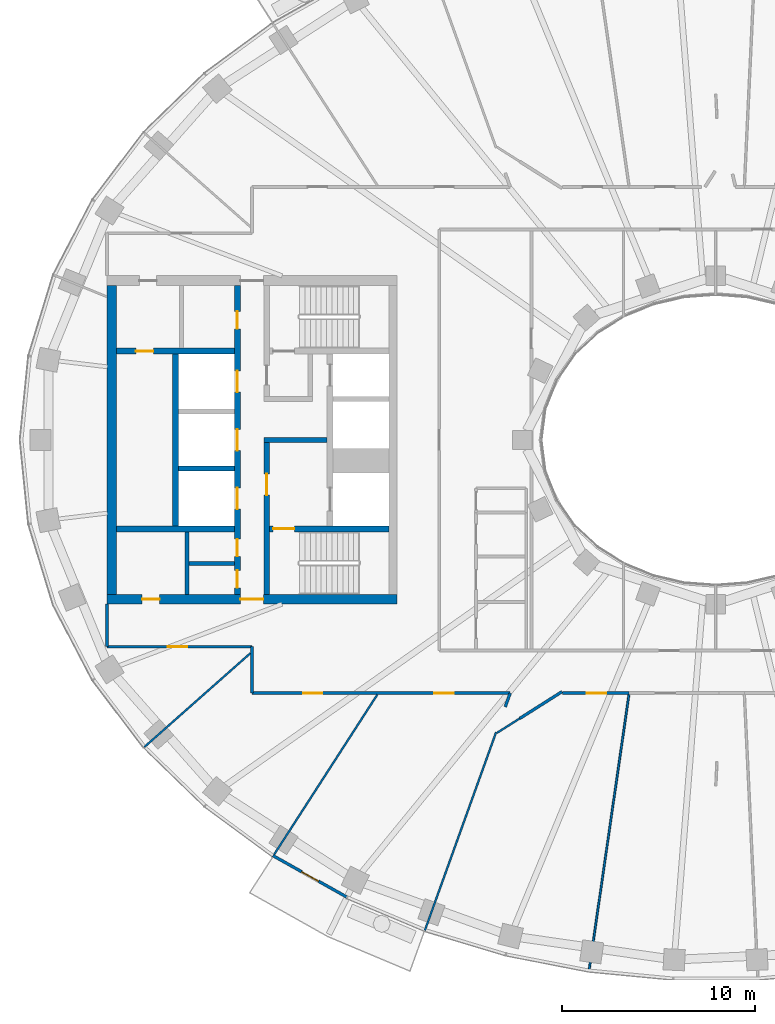
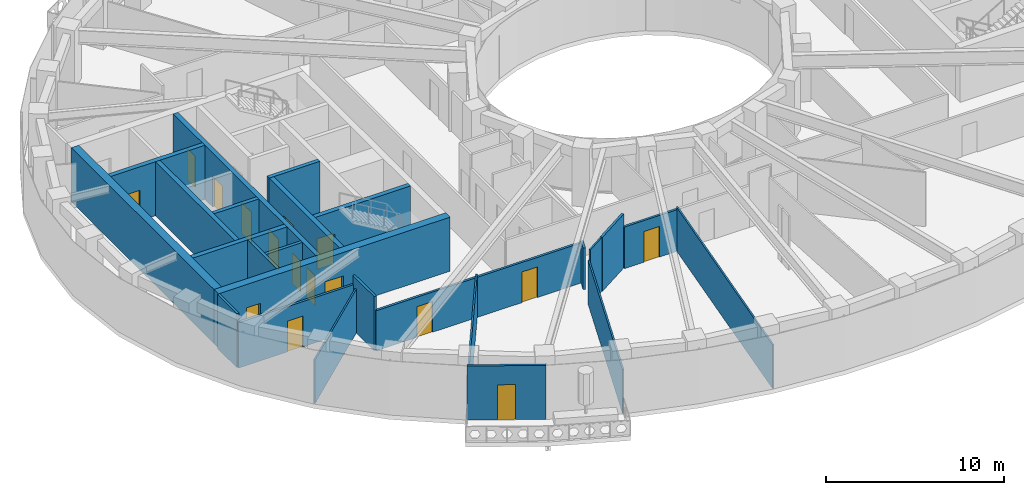
# One storey, part 3 of 15: 25 walls, 16 doors, 16 openings.
"""IFC4 building model written with IfcOpenShell, lengths in metres."""

from ifc_helpers import new_model, si_unit, direction, frame, frame_2d, origin, place, context, subcontext, project, spatial, rectangle, extrude, material, layer, layer_set, type_object, element, fill, save


model = new_model("IFC4")

# Units and contexts
model_context = context("Model", 3, precision=1e-05, world=origin(), true_north=direction((0.0, 1.0)))
body_context = subcontext(model_context, "Body", "Model", "MODEL_VIEW")
ifc_project = project(units=[si_unit("LENGTHUNIT", "METRE"), si_unit("AREAUNIT", "SQUARE_METRE"), si_unit("VOLUMEUNIT", "CUBIC_METRE"), si_unit("PLANEANGLEUNIT", "RADIAN"), si_unit("MASSUNIT", "GRAM", prefix="KILO")], contexts=[model_context])

# Site, building, storey
site_placement = place(None, origin())
site = spatial("IfcSite", under=ifc_project, at=site_placement, CompositionType="ELEMENT")
building_placement = place(site_placement, origin())
building = spatial("IfcBuilding", under=site, at=building_placement, Name="Noorbagh Ring Tower", CompositionType="ELEMENT")
storey_placement = place(building_placement, frame((0.0, 0.0, 241.5)))
storey = spatial("IfcBuildingStorey", under=building, at=storey_placement, Name="L50", CompositionType="ELEMENT", Elevation=241.5)

# Walls
ifc_material_1 = material(Name="Gypsum board on steel studs", Category="steel")
ifc_layer_1 = layer(ifc_material_1, 0.199951171875)
ifc_layer_set_1 = layer_set([ifc_layer_1], Name="Gypsum board on steel studs")
wall_type_1 = type_object("IfcWallType", Name="CORE-PARTITION-200", PredefinedType="PARTITIONING", material=ifc_layer_set_1)
wall_1_placement = place(storey_placement, frame((-27.35009765625, -8.0, 0.0), z_axis=(0.0, 0.0, 1.0), x_axis=(0.0, 1.0, 0.0)))
element("IfcWall", 1, at=wall_1_placement, inside=storey, type_object=wall_type_1, Name="Core partition W", PredefinedType="PARTITIONING", context=body_context, shape_type="SweptSolid", body=[
    extrude(rectangle(XDim=3.25, YDim=0.199951171875, at=frame_2d((1.625, 0.0))), origin(), (0.0, 0.0, 1.0), 3.699951171875),
])
wall_2_placement = place(storey_placement, frame((-24.89990234375, -6.39990234375, 0.0), z_axis=(0.0, 0.0, 1.0), x_axis=(-1.0, 0.0, 0.0)))
element("IfcWall", 2, at=wall_2_placement, inside=storey, type_object=wall_type_1, Name="Core partition W", PredefinedType="PARTITIONING", context=body_context, shape_type="SweptSolid", body=[
    extrude(rectangle(XDim=2.35009765625, YDim=0.199951171875, at=frame_2d((1.175048828125, 0.0))), origin(), (0.0, 0.0, 1.0), 3.699951171875),
])
ifc_material_2 = material(Name="Concrete C60/75", Category="concrete")
ifc_layer_2 = layer(ifc_material_2, 0.25)
ifc_layer_set_2 = layer_set([ifc_layer_2], Name="Concrete C60/75")
wall_type_2 = type_object("IfcWallType", Name="CORE-WALL-250-C60-75-EI120", PredefinedType="SHEAR", material=ifc_layer_set_2)
wall_3_placement = place(storey_placement, frame((-24.89990234375, -1.47509765625, 0.0), z_axis=(0.0, 0.0, 1.0), x_axis=(-1.0, 0.0, 0.0)))
element("IfcWall", 3, at=wall_3_placement, inside=storey, type_object=wall_type_2, Name="Core wall W", PredefinedType="SHEAR", context=body_context, shape_type="SweptSolid", body=[
    extrude(rectangle(XDim=2.900146484375, YDim=0.25, at=frame_2d((1.4501953125, 0.0))), origin(), (0.0, 0.0, 1.0), 3.699951171875),
])
ifc_material_3 = material(Name="Concrete C60/75", Category="concrete")
ifc_layer_3 = layer(ifc_material_3, 0.25)
ifc_layer_set_3 = layer_set([ifc_layer_3], Name="Concrete C60/75")
wall_type_3 = type_object("IfcWallType", Name="CORE-WALL-250-C60-75-EI240", PredefinedType="SHEAR", material=ifc_layer_set_3)
wall_4_placement = place(storey_placement, frame((-20.10009765625, 0.0, 0.0), z_axis=(0.0, 0.0, 1.0), x_axis=(-1.0, 0.0, 0.0)))
element("IfcWall", 4, at=wall_4_placement, inside=storey, type_object=wall_type_3, Name="Core wall W", PredefinedType="SHEAR", context=body_context, shape_type="SweptSolid", body=[
    extrude(rectangle(XDim=3.27978515625, YDim=0.25, at=frame_2d((1.639892578125, 0.0))), origin(), (0.0, 0.0, 1.0), 3.699951171875),
])
ifc_material_4 = material(Name="Concrete C60/75", Category="concrete")
ifc_layer_4 = layer(ifc_material_4, 0.300048828125)
ifc_layer_set_4 = layer_set([ifc_layer_4], Name="Concrete C60/75")
wall_type_4 = type_object("IfcWallType", Name="CORE-WALL-300-C60-75-EI120", PredefinedType="SHEAR", material=ifc_layer_set_4)
wall_5_placement = place(storey_placement, frame((-27.949951171875, -4.449951171875, 0.0), z_axis=(0.0, 0.0, 1.0), x_axis=(0.0, 1.0, 0.0)))
element("IfcWall", 5, at=wall_5_placement, inside=storey, type_object=wall_type_4, Name="Core wall W", PredefinedType="SHEAR", context=body_context, shape_type="SweptSolid", body=[
    extrude(rectangle(XDim=8.89990234375, YDim=0.300048828125, at=frame_2d((4.449951171875, 0.0))), origin(), (0.0, 0.0, 1.0), 3.699951171875),
])

# Wall, openings, doors
wall_6_placement = place(storey_placement, frame((-24.75, -8.0, 0.0), z_axis=(0.0, 0.0, 1.0), x_axis=(0.0, 1.0, 0.0)))
wall_6 = element("IfcWall", 6, at=wall_6_placement, inside=storey, type_object=wall_type_4, Name="Core wall W", PredefinedType="SHEAR", context=body_context, shape_type="SweptSolid", body=[
    extrude(rectangle(XDim=16.0, YDim=0.300048828125, at=frame_2d((8.0, 0.0))), origin(), (0.0, 0.0, 1.0), 3.699951171875),
])
opening_1_placement = place(wall_6_placement, frame((4.425048828125, 0.0, 0.0)))
opening_1 = element("IfcOpeningElement", 7, at=opening_1_placement, cuts=wall_6, Name="Opening L50-CW03", PredefinedType="OPENING", context=body_context, shape_type="SweptSolid", body=[
    extrude(rectangle(XDim=1.10009765625, YDim=2.10009765625, at=frame_2d((0.550048828125, 1.050048828125))), frame((0.0, 0.16015625, 0.0), z_axis=(0.0, -1.0, 0.0), x_axis=(1.0, 0.0, 0.0)), (0.0, 0.0, 1.0), 0.320068359375),
])
opening_2_placement = place(wall_6_placement, frame((7.449951171875, 0.0, 0.0)))
opening_2 = element("IfcOpeningElement", 8, at=opening_2_placement, cuts=wall_6, Name="Opening L50-CW04", PredefinedType="OPENING", context=body_context, shape_type="SweptSolid", body=[
    extrude(rectangle(XDim=1.10009765625, YDim=2.10009765625, at=frame_2d((0.550048828125, 1.050048828125))), frame((0.0, 0.16015625, 0.0), z_axis=(0.0, -1.0, 0.0), x_axis=(1.0, 0.0, 0.0)), (0.0, 0.0, 1.0), 0.320068359375),
])
opening_3_placement = place(wall_6_placement, frame((10.47509765625, 0.0, 0.0)))
opening_3 = element("IfcOpeningElement", 9, at=opening_3_placement, cuts=wall_6, Name="Opening L50-CW05", PredefinedType="OPENING", context=body_context, shape_type="SweptSolid", body=[
    extrude(rectangle(XDim=1.10009765625, YDim=2.10009765625, at=frame_2d((0.550048828125, 1.050048828125))), frame((0.0, 0.16015625, 0.0), z_axis=(0.0, -1.0, 0.0), x_axis=(1.0, 0.0, 0.0)), (0.0, 0.0, 1.0), 0.320068359375),
])
opening_4_placement = place(wall_6_placement, frame((13.75, 0.0, 0.0)))
opening_4 = element("IfcOpeningElement", 10, at=opening_4_placement, cuts=wall_6, Name="Opening L50-CW12", PredefinedType="OPENING", context=body_context, shape_type="SweptSolid", body=[
    extrude(rectangle(XDim=0.89990234375, YDim=2.10009765625, at=frame_2d((0.449951171875, 1.050048828125))), frame((0.0, 0.16015625, 0.0), z_axis=(0.0, -1.0, 0.0), x_axis=(1.0, 0.0, 0.0)), (0.0, 0.0, 1.0), 0.320068359375),
])
opening_5_placement = place(wall_6_placement, frame((1.97509765625, 0.0, 0.0)))
opening_5 = element("IfcOpeningElement", 11, at=opening_5_placement, cuts=wall_6, Name="Opening L50-CW14", PredefinedType="OPENING", context=body_context, shape_type="SweptSolid", body=[
    extrude(rectangle(XDim=0.89990234375, YDim=2.10009765625, at=frame_2d((0.449951171875, 1.050048828125))), frame((0.0, 0.16015625, 0.0), z_axis=(0.0, -1.0, 0.0), x_axis=(1.0, 0.0, 0.0)), (0.0, 0.0, 1.0), 0.320068359375),
])
opening_6_placement = place(wall_6_placement, frame((0.35009765625, 0.0, 0.0)))
opening_6 = element("IfcOpeningElement", 12, at=opening_6_placement, cuts=wall_6, Name="Opening L50-CW15", PredefinedType="OPENING", context=body_context, shape_type="SweptSolid", body=[
    extrude(rectangle(XDim=0.89990234375, YDim=2.10009765625, at=frame_2d((0.449951171875, 1.050048828125))), frame((0.0, 0.16015625, 0.0), z_axis=(0.0, -1.0, 0.0), x_axis=(1.0, 0.0, 0.0)), (0.0, 0.0, 1.0), 0.320068359375),
])
ifc_material_5 = material(Name="Steel door leaf", Category="steel")
door_type_1 = type_object("IfcDoorType", Name="CORE-DOOR-DROOM", OperationType="SINGLE_SWING_LEFT", PredefinedType="DOOR", material=ifc_material_5)
door_1_placement = place(opening_4_placement, origin())
door_1 = element("IfcDoor", 13, at=door_1_placement, inside=storey, type_object=door_type_1, Name="Core room door L50-CW12", OperationType="SINGLE_SWING_RIGHT", OverallHeight=2.10009765625, OverallWidth=0.89990234375, PredefinedType="DOOR", context=body_context, shape_type="SweptSolid", body=[
    extrude(rectangle(XDim=0.89990234375, YDim=2.10009765625, at=frame_2d((0.449951171875, 1.050048828125))), frame((0.0, 0.02490234375, 0.0), z_axis=(0.0, -1.0, 0.0), x_axis=(1.0, 0.0, 0.0)), (0.0, 0.0, 1.0), 0.050048828125),
])
fill(opening_4, door_1)
door_2_placement = place(opening_5_placement, origin())
door_2 = element("IfcDoor", 14, at=door_2_placement, inside=storey, type_object=door_type_1, Name="Core room door L50-CW14", OperationType="SINGLE_SWING_RIGHT", OverallHeight=2.10009765625, OverallWidth=0.89990234375, PredefinedType="DOOR", context=body_context, shape_type="SweptSolid", body=[
    extrude(rectangle(XDim=0.89990234375, YDim=2.10009765625, at=frame_2d((0.449951171875, 1.050048828125))), frame((0.0, 0.02490234375, 0.0), z_axis=(0.0, -1.0, 0.0), x_axis=(1.0, 0.0, 0.0)), (0.0, 0.0, 1.0), 0.050048828125),
])
fill(opening_5, door_2)
door_3_placement = place(opening_6_placement, origin())
door_3 = element("IfcDoor", 15, at=door_3_placement, inside=storey, type_object=door_type_1, Name="Core room door L50-CW15", OperationType="SINGLE_SWING_LEFT", OverallHeight=2.10009765625, OverallWidth=0.89990234375, PredefinedType="DOOR", context=body_context, shape_type="SweptSolid", body=[
    extrude(rectangle(XDim=0.89990234375, YDim=2.10009765625, at=frame_2d((0.449951171875, 1.050048828125))), frame((0.0, 0.02490234375, 0.0), z_axis=(0.0, -1.0, 0.0), x_axis=(1.0, 0.0, 0.0)), (0.0, 0.0, 1.0), 0.050048828125),
])
fill(opening_6, door_3)
ifc_material_6 = material(Name="Steel door leaf", Category="steel")
door_type_2 = type_object("IfcDoorType", Name="CORE-DOOR-LD", OperationType="DOUBLE_DOOR_SLIDING", PredefinedType="DOOR", material=ifc_material_6)
door_4_placement = place(opening_1_placement, origin())
door_4 = element("IfcDoor", 16, at=door_4_placement, inside=storey, type_object=door_type_2, Name="Landing door HR2 L50-CW03", OperationType="DOUBLE_DOOR_SLIDING", OverallHeight=2.10009765625, OverallWidth=1.10009765625, PredefinedType="DOOR", context=body_context, shape_type="SweptSolid", body=[
    extrude(rectangle(XDim=1.10009765625, YDim=2.10009765625, at=frame_2d((0.550048828125, 1.050048828125))), frame((0.0, 0.02490234375, 0.0), z_axis=(0.0, -1.0, 0.0), x_axis=(1.0, 0.0, 0.0)), (0.0, 0.0, 1.0), 0.050048828125),
])
fill(opening_1, door_4)
door_5_placement = place(opening_2_placement, origin())
door_5 = element("IfcDoor", 17, at=door_5_placement, inside=storey, type_object=door_type_2, Name="Landing door HR3 L50-CW04", OperationType="DOUBLE_DOOR_SLIDING", OverallHeight=2.10009765625, OverallWidth=1.10009765625, PredefinedType="DOOR", context=body_context, shape_type="SweptSolid", body=[
    extrude(rectangle(XDim=1.10009765625, YDim=2.10009765625, at=frame_2d((0.550048828125, 1.050048828125))), frame((0.0, 0.02490234375, 0.0), z_axis=(0.0, -1.0, 0.0), x_axis=(1.0, 0.0, 0.0)), (0.0, 0.0, 1.0), 0.050048828125),
])
fill(opening_2, door_5)
door_6_placement = place(opening_3_placement, origin())
door_6 = element("IfcDoor", 18, at=door_6_placement, inside=storey, type_object=door_type_2, Name="Landing door HR4 L50-CW05", OperationType="DOUBLE_DOOR_SLIDING", OverallHeight=2.10009765625, OverallWidth=1.10009765625, PredefinedType="DOOR", context=body_context, shape_type="SweptSolid", body=[
    extrude(rectangle(XDim=1.10009765625, YDim=2.10009765625, at=frame_2d((0.550048828125, 1.050048828125))), frame((0.0, 0.02490234375, 0.0), z_axis=(0.0, -1.0, 0.0), x_axis=(1.0, 0.0, 0.0)), (0.0, 0.0, 1.0), 0.050048828125),
])
fill(opening_3, door_6)

# Wall, opening, door
ifc_material_7 = material(Name="Concrete C60/75", Category="concrete")
ifc_layer_5 = layer(ifc_material_7, 0.300048828125)
ifc_layer_set_5 = layer_set([ifc_layer_5], Name="Concrete C60/75")
wall_type_5 = type_object("IfcWallType", Name="CORE-WALL-300-C60-75-EI240", PredefinedType="SHEAR", material=ifc_layer_set_5)
wall_7_placement = place(storey_placement, frame((-24.89990234375, 4.60009765625, 0.0), z_axis=(0.0, 0.0, 1.0), x_axis=(-1.0, 0.0, 0.0)))
wall_7 = element("IfcWall", 19, at=wall_7_placement, inside=storey, type_object=wall_type_5, Name="Core wall W", PredefinedType="SHEAR", context=body_context, shape_type="SweptSolid", body=[
    extrude(rectangle(XDim=6.10009765625, YDim=0.300048828125, at=frame_2d((3.050048828125, 0.0))), origin(), (0.0, 0.0, 1.0), 3.699951171875),
])
opening_7_placement = place(wall_7_placement, frame((4.199951171875, 0.0, 0.0)))
opening_7 = element("IfcOpeningElement", 20, at=opening_7_placement, cuts=wall_7, Name="Opening L50-CW17", PredefinedType="OPENING", context=body_context, shape_type="SweptSolid", body=[
    extrude(rectangle(XDim=0.89990234375, YDim=2.10009765625, at=frame_2d((0.449951171875, 1.050048828125))), frame((0.0, 0.16015625, 0.0), z_axis=(0.0, -1.0, 0.0), x_axis=(1.0, 0.0, 0.0)), (0.0, 0.0, 1.0), 0.320068359375),
])
door_7_placement = place(opening_7_placement, origin())
door_7 = element("IfcDoor", 21, at=door_7_placement, inside=storey, type_object=door_type_1, Name="Core room door L50-CW17", OperationType="SINGLE_SWING_LEFT", OverallHeight=2.10009765625, OverallWidth=0.89990234375, PredefinedType="DOOR", context=body_context, shape_type="SweptSolid", body=[
    extrude(rectangle(XDim=0.89990234375, YDim=2.10009765625, at=frame_2d((0.449951171875, 1.050048828125))), frame((0.0, 0.02490234375, 0.0), z_axis=(0.0, -1.0, 0.0), x_axis=(1.0, 0.0, 0.0)), (0.0, 0.0, 1.0), 0.050048828125),
])
fill(opening_7, door_7)

# Wall
wall_8_placement = place(storey_placement, frame((-24.89990234375, -4.60009765625, 0.0), z_axis=(0.0, 0.0, 1.0), x_axis=(-1.0, 0.0, 0.0)))
element("IfcWall", 22, at=wall_8_placement, inside=storey, type_object=wall_type_5, Name="Core wall W", PredefinedType="SHEAR", context=body_context, shape_type="SweptSolid", body=[
    extrude(rectangle(XDim=6.10009765625, YDim=0.300048828125, at=frame_2d((3.050048828125, 0.0))), origin(), (0.0, 0.0, 1.0), 3.699951171875),
])

# Wall, opening, door
wall_9_placement = place(storey_placement, frame((-23.22998046875, -8.0, 0.0), z_axis=(0.0, 0.0, 1.0), x_axis=(0.0, 1.0, 0.0)))
wall_9 = element("IfcWall", 23, at=wall_9_placement, inside=storey, type_object=wall_type_5, Name="Core wall W", PredefinedType="SHEAR", context=body_context, shape_type="SweptSolid", body=[
    extrude(rectangle(XDim=7.875, YDim=0.300048828125, at=frame_2d((3.9375, 0.0))), origin(), (0.0, 0.0, 1.0), 3.699951171875),
])
opening_8_placement = place(wall_9_placement, frame((5.14990234375, 0.0, 0.0)))
opening_8 = element("IfcOpeningElement", 24, at=opening_8_placement, cuts=wall_9, Name="Opening L50-CW08", PredefinedType="OPENING", context=body_context, shape_type="SweptSolid", body=[
    extrude(rectangle(XDim=1.10009765625, YDim=2.10009765625, at=frame_2d((0.550048828125, 1.050048828125))), frame((0.0, 0.16015625, 0.0), z_axis=(0.0, -1.0, 0.0), x_axis=(1.0, 0.0, 0.0)), (0.0, 0.0, 1.0), 0.320068359375),
])
ifc_material_8 = material(Name="Steel door leaf", Category="steel")
door_type_3 = type_object("IfcDoorType", Name="CORE-DOOR-DFF", OperationType="SINGLE_SWING_LEFT", PredefinedType="DOOR", material=ifc_material_8)
door_8_placement = place(opening_8_placement, origin())
door_8 = element("IfcDoor", 25, at=door_8_placement, inside=storey, type_object=door_type_3, Name="Firefighting lobby door L50-CW08", OperationType="SINGLE_SWING_LEFT", OverallHeight=2.10009765625, OverallWidth=1.10009765625, PredefinedType="DOOR", context=body_context, shape_type="SweptSolid", body=[
    extrude(rectangle(XDim=1.10009765625, YDim=2.10009765625, at=frame_2d((0.550048828125, 1.050048828125))), frame((0.0, 0.02490234375, 0.0), z_axis=(0.0, -1.0, 0.0), x_axis=(1.0, 0.0, 0.0)), (0.0, 0.0, 1.0), 0.050048828125),
])
fill(opening_8, door_8)

wall_10_placement = place(storey_placement, frame((-16.89990234375, -4.60009765625, 0.0), z_axis=(0.0, 0.0, 1.0), x_axis=(-1.0, 0.0, 0.0)))
wall_10 = element("IfcWall", 26, at=wall_10_placement, inside=storey, type_object=wall_type_5, Name="Core wall W", PredefinedType="SHEAR", context=body_context, shape_type="SweptSolid", body=[
    extrude(rectangle(XDim=6.18017578125, YDim=0.300048828125, at=frame_2d((3.090087890625, 0.0))), origin(), (0.0, 0.0, 1.0), 3.699951171875),
])
opening_9_placement = place(wall_10_placement, frame((4.89990234375, 0.0, 0.0)))
opening_9 = element("IfcOpeningElement", 27, at=opening_9_placement, cuts=wall_10, Name="Opening L50-CW07", PredefinedType="OPENING", context=body_context, shape_type="SweptSolid", body=[
    extrude(rectangle(XDim=1.10009765625, YDim=2.10009765625, at=frame_2d((0.550048828125, 1.050048828125))), frame((0.0, 0.16015625, 0.0), z_axis=(0.0, -1.0, 0.0), x_axis=(1.0, 0.0, 0.0)), (0.0, 0.0, 1.0), 0.320068359375),
])
ifc_material_9 = material(Name="Steel door leaf", Category="steel")
door_type_4 = type_object("IfcDoorType", Name="CORE-DOOR-DSTAIR", OperationType="SINGLE_SWING_LEFT", PredefinedType="DOOR", material=ifc_material_9)
door_9_placement = place(opening_9_placement, origin())
door_9 = element("IfcDoor", 28, at=door_9_placement, inside=storey, type_object=door_type_4, Name="Stair door ST2 L50-CW07", OperationType="SINGLE_SWING_LEFT", OverallHeight=2.10009765625, OverallWidth=1.10009765625, PredefinedType="DOOR", context=body_context, shape_type="SweptSolid", body=[
    extrude(rectangle(XDim=1.10009765625, YDim=2.10009765625, at=frame_2d((0.550048828125, 1.050048828125))), frame((0.0, 0.02490234375, 0.0), z_axis=(0.0, -1.0, 0.0), x_axis=(1.0, 0.0, 0.0)), (0.0, 0.0, 1.0), 0.050048828125),
])
fill(opening_9, door_9)

# Wall, openings, doors
ifc_material_10 = material(Name="Concrete C60/75", Category="concrete")
ifc_layer_6 = layer(ifc_material_10, 0.5)
ifc_layer_set_6 = layer_set([ifc_layer_6], Name="Concrete C60/75")
wall_type_6 = type_object("IfcWallType", Name="CORE-WALL-500-C60-75-EI240", PredefinedType="SHEAR", material=ifc_layer_set_6)
wall_11_placement = place(storey_placement, frame((-16.5, -8.25, 0.0), z_axis=(0.0, 0.0, 1.0), x_axis=(-1.0, 0.0, 0.0)))
wall_11 = element("IfcWall", 29, at=wall_11_placement, inside=storey, type_object=wall_type_6, Name="Core wall W", PredefinedType="SHEAR", context=body_context, shape_type="SweptSolid", body=[
    extrude(rectangle(XDim=15.0, YDim=0.5, at=frame_2d((7.5, 0.0))), origin(), (0.0, 0.0, 1.0), 3.699951171875),
])
opening_10_placement = place(wall_11_placement, frame((6.89990234375, 0.0, 0.0)))
opening_10 = element("IfcOpeningElement", 30, at=opening_10_placement, cuts=wall_11, Name="Opening L50-CW11", PredefinedType="OPENING", context=body_context, shape_type="SweptSolid", body=[
    extrude(rectangle(XDim=1.199951171875, YDim=2.10009765625, at=frame_2d((0.60009765625, 1.050048828125))), frame((0.0, 0.260009765625, 0.0), z_axis=(0.0, -1.0, 0.0), x_axis=(1.0, 0.0, 0.0)), (0.0, 0.0, 1.0), 0.52001953125),
])
opening_11_placement = place(wall_11_placement, frame((12.27490234375, 0.0, 0.0)))
opening_11 = element("IfcOpeningElement", 31, at=opening_11_placement, cuts=wall_11, Name="Opening L50-CW16", PredefinedType="OPENING", context=body_context, shape_type="SweptSolid", body=[
    extrude(rectangle(XDim=0.89990234375, YDim=2.10009765625, at=frame_2d((0.449951171875, 1.050048828125))), frame((0.0, 0.260009765625, 0.0), z_axis=(0.0, -1.0, 0.0), x_axis=(1.0, 0.0, 0.0)), (0.0, 0.0, 1.0), 0.52001953125),
])
door_10_placement = place(opening_11_placement, origin())
door_10 = element("IfcDoor", 32, at=door_10_placement, inside=storey, type_object=door_type_1, Name="Core room door L50-CW16", OperationType="SINGLE_SWING_LEFT", OverallHeight=2.10009765625, OverallWidth=0.89990234375, PredefinedType="DOOR", context=body_context, shape_type="SweptSolid", body=[
    extrude(rectangle(XDim=0.89990234375, YDim=2.10009765625, at=frame_2d((0.449951171875, 1.050048828125))), frame((0.0, 0.02490234375, 0.0), z_axis=(0.0, -1.0, 0.0), x_axis=(1.0, 0.0, 0.0)), (0.0, 0.0, 1.0), 0.050048828125),
])
fill(opening_11, door_10)
ifc_material_11 = material(Name="Steel door leaf", Category="steel")
door_type_5 = type_object("IfcDoorType", Name="CORE-DOOR-PORT", OperationType="DOUBLE_DOOR_DOUBLE_SWING", PredefinedType="DOOR", material=ifc_material_11)
door_11_placement = place(opening_10_placement, origin())
door_11 = element("IfcDoor", 33, at=door_11_placement, inside=storey, type_object=door_type_5, Name="Core entrance door L50-CW11", OperationType="DOUBLE_DOOR_DOUBLE_SWING", OverallHeight=2.10009765625, OverallWidth=1.199951171875, PredefinedType="DOOR", context=body_context, shape_type="SweptSolid", body=[
    extrude(rectangle(XDim=1.199951171875, YDim=2.10009765625, at=frame_2d((0.60009765625, 1.050048828125))), frame((0.0, 0.02490234375, 0.0), z_axis=(0.0, -1.0, 0.0), x_axis=(1.0, 0.0, 0.0)), (0.0, 0.0, 1.0), 0.050048828125),
])
fill(opening_10, door_11)

# Walls
wall_12_placement = place(storey_placement, frame((-31.25, -8.0, 0.0), z_axis=(0.0, 0.0, 1.0), x_axis=(0.0, 1.0, 0.0)))
element("IfcWall", 34, at=wall_12_placement, inside=storey, type_object=wall_type_6, Name="Core wall W", PredefinedType="SHEAR", context=body_context, shape_type="SweptSolid", body=[
    extrude(rectangle(XDim=16.0, YDim=0.5, at=frame_2d((8.0, 0.0))), origin(), (0.0, 0.0, 1.0), 3.699951171875),
])
ifc_material_12 = material(Name="Gypsum board on steel studs", Category="steel")
ifc_layer_7 = layer(ifc_material_12, 0.14990234375)
ifc_layer_set_7 = layer_set([ifc_layer_7], Name="Gypsum board on steel studs")
wall_type_7 = type_object("IfcWallType", Name="CORRIDOR PARTITION 150 EI 30", PredefinedType="PARTITIONING", material=ifc_layer_set_7)
wall_13_placement = place(storey_placement, frame((-31.5, -10.699951171875, 0.0), z_axis=(0.0, 0.0, 1.0), x_axis=(0.0, 1.0, 0.0)))
element("IfcWall", 35, at=wall_13_placement, inside=storey, type_object=wall_type_7, Name="L50/wall/P02", PredefinedType="PARTITIONING", context=body_context, shape_type="SweptSolid", body=[
    extrude(rectangle(XDim=2.199951171875, YDim=0.14990234375, at=frame_2d((1.10009765625, 0.0))), origin(), (0.0, 0.0, 1.0), 3.699951171875),
])

# Wall, opening, door
wall_14_placement = place(storey_placement, frame((-31.5, -10.699951171875, 0.0), z_axis=(0.0, 0.0, 1.0), x_axis=(1.0, 0.0, 0.0)))
wall_14 = element("IfcWall", 36, at=wall_14_placement, inside=storey, type_object=wall_type_7, Name="L50/wall/P03", PredefinedType="PARTITIONING", context=body_context, shape_type="SweptSolid", body=[
    extrude(rectangle(XDim=7.5, YDim=0.14990234375, at=frame_2d((3.75, 0.0))), origin(), (0.0, 0.0, 1.0), 3.10009765625),
])
opening_12_placement = place(wall_14_placement, frame((3.14990234375, 0.0, 0.0)))
opening_12 = element("IfcOpeningElement", 37, at=opening_12_placement, cuts=wall_14, Name="Opening D1", PredefinedType="OPENING", context=body_context, shape_type="SweptSolid", body=[
    extrude(rectangle(XDim=1.0, YDim=2.10009765625, at=frame_2d((0.5, 1.050048828125))), frame((0.0, 0.0849609375, 0.0), z_axis=(0.0, -1.0, 0.0), x_axis=(1.0, 0.0, 0.0)), (0.0, 0.0, 1.0), 0.169921875),
])
ifc_material_13 = material(Name="Timber, painted", Category="wood")
door_type_6 = type_object("IfcDoorType", Name="DOOR 1000 X 2100 FD30", OperationType="SINGLE_SWING_LEFT", PredefinedType="DOOR", material=ifc_material_13)
door_12_placement = place(opening_12_placement, origin())
door_12 = element("IfcDoor", 38, at=door_12_placement, inside=storey, type_object=door_type_6, Name="L50-D06", OperationType="SINGLE_SWING_RIGHT", OverallHeight=2.10009765625, OverallWidth=1.0, PredefinedType="DOOR", context=body_context, shape_type="SweptSolid", body=[
    extrude(rectangle(XDim=1.0, YDim=2.10009765625, at=frame_2d((0.5, 1.050048828125))), frame((0.0, 0.02490234375, 0.0), z_axis=(0.0, -1.0, 0.0), x_axis=(1.0, 0.0, 0.0)), (0.0, 0.0, 1.0), 0.050048828125),
])
fill(opening_12, door_12)

# Wall
wall_15_placement = place(storey_placement, frame((-24.0, -13.10009765625, 0.0), z_axis=(0.0, 0.0, 1.0), x_axis=(0.0, 1.0, 0.0)))
element("IfcWall", 39, at=wall_15_placement, inside=storey, type_object=wall_type_7, Name="L50/wall/P08", PredefinedType="PARTITIONING", context=body_context, shape_type="SweptSolid", body=[
    extrude(rectangle(XDim=2.400146484375, YDim=0.14990234375, at=frame_2d((1.2001953125, 0.0))), origin(), (0.0, 0.0, 1.0), 3.699951171875),
])

# Wall, openings, doors
wall_16_placement = place(storey_placement, frame((-24.0, -13.10009765625, 0.0), z_axis=(0.0, 0.0, 1.0), x_axis=(1.0, 0.0, 0.0)))
wall_16 = element("IfcWall", 40, at=wall_16_placement, inside=storey, type_object=wall_type_7, Name="L50/wall/P09", PredefinedType="PARTITIONING", context=body_context, shape_type="SweptSolid", body=[
    extrude(rectangle(XDim=13.35693359375, YDim=0.14990234375, at=frame_2d((6.678466796875, 0.0))), origin(), (0.0, 0.0, 1.0), 2.75),
])
opening_13_placement = place(wall_16_placement, frame((2.64990234375, 0.0, 0.0)))
opening_13 = element("IfcOpeningElement", 41, at=opening_13_placement, cuts=wall_16, Name="Opening D1", PredefinedType="OPENING", context=body_context, shape_type="SweptSolid", body=[
    extrude(rectangle(XDim=1.0, YDim=2.10009765625, at=frame_2d((0.5, 1.050048828125))), frame((0.0, 0.0849609375, 0.0), z_axis=(0.0, -1.0, 0.0), x_axis=(1.0, 0.0, 0.0)), (0.0, 0.0, 1.0), 0.169921875),
])
opening_14_placement = place(wall_16_placement, frame((9.43603515625, 0.0, 0.0)))
opening_14 = element("IfcOpeningElement", 42, at=opening_14_placement, cuts=wall_16, Name="Opening D1", PredefinedType="OPENING", context=body_context, shape_type="SweptSolid", body=[
    extrude(rectangle(XDim=1.0, YDim=2.10009765625, at=frame_2d((0.5, 1.050048828125))), frame((0.0, 0.0849609375, 0.0), z_axis=(0.0, -1.0, 0.0), x_axis=(1.0, 0.0, 0.0)), (0.0, 0.0, 1.0), 0.169921875),
])
door_13_placement = place(opening_13_placement, origin())
door_13 = element("IfcDoor", 43, at=door_13_placement, inside=storey, type_object=door_type_6, Name="L50-D08", OperationType="SINGLE_SWING_RIGHT", OverallHeight=2.10009765625, OverallWidth=1.0, PredefinedType="DOOR", context=body_context, shape_type="SweptSolid", body=[
    extrude(rectangle(XDim=1.0, YDim=2.10009765625, at=frame_2d((0.5, 1.050048828125))), frame((0.0, 0.02490234375, 0.0), z_axis=(0.0, -1.0, 0.0), x_axis=(1.0, 0.0, 0.0)), (0.0, 0.0, 1.0), 0.050048828125),
])
fill(opening_13, door_13)
door_14_placement = place(opening_14_placement, origin())
door_14 = element("IfcDoor", 44, at=door_14_placement, inside=storey, type_object=door_type_6, Name="L50-D10", OperationType="SINGLE_SWING_RIGHT", OverallHeight=2.10009765625, OverallWidth=1.0, PredefinedType="DOOR", context=body_context, shape_type="SweptSolid", body=[
    extrude(rectangle(XDim=1.0, YDim=2.10009765625, at=frame_2d((0.5, 1.050048828125))), frame((0.0, 0.02490234375, 0.0), z_axis=(0.0, -1.0, 0.0), x_axis=(1.0, 0.0, 0.0)), (0.0, 0.0, 1.0), 0.050048828125),
])
fill(opening_14, door_14)

# Walls
wall_17_placement = place(storey_placement, frame((-10.887939453125, -13.81396484375, 0.0), z_axis=(0.0, 0.0, 1.0), x_axis=(0.337396703232, 0.941362557492, 0.0)))
element("IfcWall", 45, at=wall_17_placement, inside=storey, type_object=wall_type_7, Name="L50/wall/P27", PredefinedType="PARTITIONING", context=body_context, shape_type="SweptSolid", body=[
    extrude(rectangle(XDim=0.75830078125, YDim=0.14990234375, at=frame_2d((0.379150390625, 0.0))), origin(), (0.0, 0.0, 1.0), 2.85009765625),
])
wall_18_placement = place(storey_placement, frame((-10.136962890625, -14.4130859375, 0.0), z_axis=(0.0, 0.0, 1.0), x_axis=(0.844665601723, 0.535294331434, 0.0)))
element("IfcWall", 46, at=wall_18_placement, inside=storey, type_object=wall_type_7, Name="L50/wall/P29", PredefinedType="PARTITIONING", context=body_context, shape_type="SweptSolid", body=[
    extrude(rectangle(XDim=2.589111328125, YDim=0.14990234375, at=frame_2d((1.29443359375, 0.0))), origin(), (0.0, 0.0, 1.0), 3.699951171875),
])

# Wall, opening, door
wall_19_placement = place(storey_placement, frame((-7.925048828125, -13.10009765625, 0.0), z_axis=(0.0, 0.0, 1.0), x_axis=(1.0, 0.0, 0.0)))
wall_19 = element("IfcWall", 47, at=wall_19_placement, inside=storey, type_object=wall_type_7, Name="L50/wall/P34", PredefinedType="PARTITIONING", context=body_context, shape_type="SweptSolid", body=[
    extrude(rectangle(XDim=3.43212890625, YDim=0.14990234375, at=frame_2d((1.716064453125, 0.0))), origin(), (0.0, 0.0, 1.0), 2.85009765625),
])
opening_15_placement = place(wall_19_placement, frame((1.260009765625, 0.0, 0.0)))
opening_15 = element("IfcOpeningElement", 48, at=opening_15_placement, cuts=wall_19, Name="Opening D1", PredefinedType="OPENING", context=body_context, shape_type="SweptSolid", body=[
    extrude(rectangle(XDim=1.0, YDim=2.10009765625, at=frame_2d((0.5, 1.050048828125))), frame((0.0, 0.0849609375, 0.0), z_axis=(0.0, -1.0, 0.0), x_axis=(1.0, 0.0, 0.0)), (0.0, 0.0, 1.0), 0.169921875),
])
door_15_placement = place(opening_15_placement, origin())
door_15 = element("IfcDoor", 49, at=door_15_placement, inside=storey, type_object=door_type_6, Name="L50-D12", OperationType="SINGLE_SWING_RIGHT", OverallHeight=2.10009765625, OverallWidth=1.0, PredefinedType="DOOR", context=body_context, shape_type="SweptSolid", body=[
    extrude(rectangle(XDim=1.0, YDim=2.10009765625, at=frame_2d((0.5, 1.050048828125))), frame((0.0, 0.02490234375, 0.0), z_axis=(0.0, -1.0, 0.0), x_axis=(1.0, 0.0, 0.0)), (0.0, 0.0, 1.0), 0.050048828125),
])
fill(opening_15, door_15)

ifc_material_14 = material(Name="Insulated aluminium clad panel", Category="aluminium")
ifc_layer_8 = layer(ifc_material_14, 0.14990234375)
ifc_layer_set_8 = layer_set([ifc_layer_8], Name="Insulated aluminium clad panel")
wall_type_8 = type_object("IfcWallType", Name="ENV-WALL-DOOR", PredefinedType="STANDARD", material=ifc_layer_set_8)
wall_20_placement = place(storey_placement, frame((-22.913330078125, -21.508544921875, 0.0), z_axis=(0.0, 0.0, 1.0), x_axis=(0.872046572975, -0.489422899509, 0.0)))
wall_20 = element("IfcWall", 50, at=wall_20_placement, inside=storey, type_object=wall_type_8, Name="Balcony door wall chord 30", PredefinedType="STANDARD", context=body_context, shape_type="SweptSolid", body=[
    extrude(rectangle(XDim=4.425537109375, YDim=0.14990234375, at=frame_2d((2.212890625, 0.0))), origin(), (0.0, 0.0, 1.0), 3.699951171875),
])
opening_16_placement = place(wall_20_placement, frame((1.712646484375, 0.0, 0.0)))
opening_16 = element("IfcOpeningElement", 51, at=opening_16_placement, cuts=wall_20, Name="Opening D-BL", PredefinedType="OPENING", context=body_context, shape_type="SweptSolid", body=[
    extrude(rectangle(XDim=1.0, YDim=2.39990234375, at=frame_2d((0.5, 1.199951171875))), frame((0.0, 0.0849609375, 0.0), z_axis=(0.0, -1.0, 0.0), x_axis=(1.0, 0.0, 0.0)), (0.0, 0.0, 1.0), 0.169921875),
])
ifc_material_15 = material(Name="Aluminium and glass", Category="aluminium")
door_type_7 = type_object("IfcDoorType", Name="ENV-DOOR-BALCONY", OperationType="SINGLE_SWING_LEFT", PredefinedType="DOOR", material=ifc_material_15)
door_16_placement = place(opening_16_placement, origin())
door_16 = element("IfcDoor", 52, at=door_16_placement, inside=storey, type_object=door_type_7, Name="Balcony door chord 30", OperationType="SINGLE_SWING_LEFT", OverallHeight=2.39990234375, OverallWidth=1.0, PredefinedType="DOOR", context=body_context, shape_type="SweptSolid", body=[
    extrude(rectangle(XDim=1.0, YDim=2.39990234375, at=frame_2d((0.5, 1.199951171875))), frame((0.0, 0.02490234375, 0.0), z_axis=(0.0, -1.0, 0.0), x_axis=(1.0, 0.0, 0.0)), (0.0, 0.0, 1.0), 0.050048828125),
])
fill(opening_16, door_16)

# Walls
ifc_material_16 = material(Name="Gypsum board on steel studs", Category="steel")
ifc_layer_9 = layer(ifc_material_16, 0.10009765625)
ifc_layer_set_9 = layer_set([ifc_layer_9], Name="Gypsum board on steel studs")
wall_type_9 = type_object("IfcWallType", Name="PARTITION 100 GYPSUM", PredefinedType="PARTITIONING", material=ifc_layer_set_9)
wall_21_placement = place(storey_placement, frame((-29.569091796875, -15.89501953125, 0.0), z_axis=(0.0, 0.0, 1.0), x_axis=(0.748936848479, 0.662641378869, 0.0)))
element("IfcWall", 53, at=wall_21_placement, inside=storey, type_object=wall_type_9, Name="L50/wall/P06", PredefinedType="PARTITIONING", context=body_context, shape_type="SweptSolid", body=[
    extrude(rectangle(XDim=7.3359375, YDim=0.10009765625, at=frame_2d((3.66796875, 0.0))), origin(), (0.0, 0.0, 1.0), 3.0),
])
wall_22_placement = place(storey_placement, frame((-22.905029296875, -21.5419921875, 0.0), z_axis=(0.0, 0.0, 1.0), x_axis=(0.542277075573, 0.840199722273, 0.0)))
element("IfcWall", 54, at=wall_22_placement, inside=storey, type_object=wall_type_9, Name="L50/wall/P12", PredefinedType="PARTITIONING", context=body_context, shape_type="SweptSolid", body=[
    extrude(rectangle(XDim=9.958251953125, YDim=0.10009765625, at=frame_2d((4.97900390625, 0.0))), origin(), (0.0, 0.0, 1.0), 3.0),
])
wall_23_placement = place(storey_placement, frame((-15.048095703125, -25.383056640625, 0.0), z_axis=(0.0, 0.0, 1.0), x_axis=(0.338406105684, 0.941000163462, 0.0)))
element("IfcWall", 55, at=wall_23_placement, inside=storey, type_object=wall_type_9, Name="L50/wall/P14", PredefinedType="PARTITIONING", context=body_context, shape_type="SweptSolid", body=[
    extrude(rectangle(XDim=10.898193359375, YDim=0.10009765625, at=frame_2d((5.44921875, 0.0))), origin(), (0.0, 0.0, 1.0), 3.0),
])
wall_24_placement = place(storey_placement, frame((-11.319091796875, -15.160888671875, 0.0), z_axis=(0.0, 0.0, 1.0), x_axis=(0.845102975348, 0.534603555037, 0.0)))
element("IfcWall", 56, at=wall_24_placement, inside=storey, type_object=wall_type_9, Name="L50/wall/P25", PredefinedType="PARTITIONING", context=body_context, shape_type="SweptSolid", body=[
    extrude(rectangle(XDim=1.398681640625, YDim=0.10009765625, at=frame_2d((0.69921875, 0.0))), origin(), (0.0, 0.0, 1.0), 3.699951171875),
])
wall_25_placement = place(storey_placement, frame((-6.552001953125, -27.48095703125, 0.0), z_axis=(0.0, 0.0, 1.0), x_axis=(0.143086579044, 0.989710175202, 0.0)))
element("IfcWall", 57, at=wall_25_placement, inside=storey, type_object=wall_type_9, Name="L50/wall/P36", PredefinedType="PARTITIONING", context=body_context, shape_type="SweptSolid", body=[
    extrude(rectangle(XDim=14.5302734375, YDim=0.10009765625, at=frame_2d((7.26513671875, 0.0))), origin(), (0.0, 0.0, 1.0), 3.0),
])

save(model, "model.ifc")
